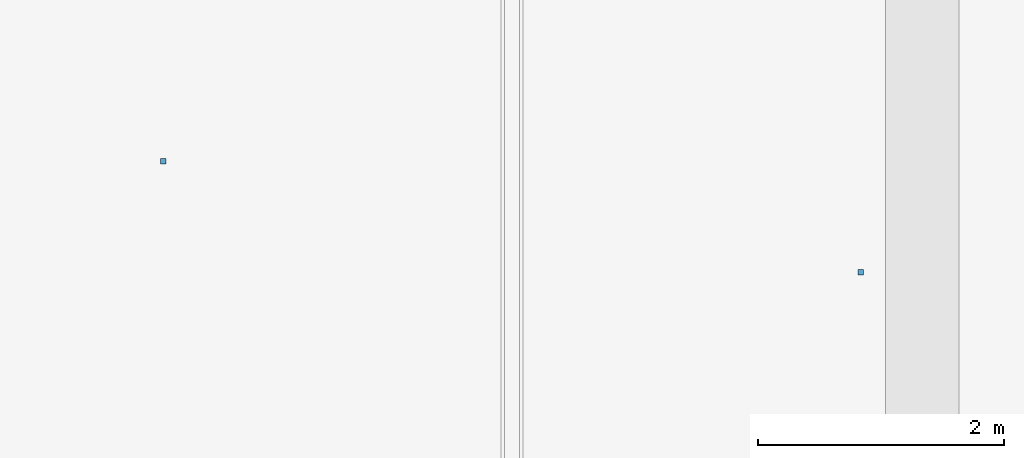
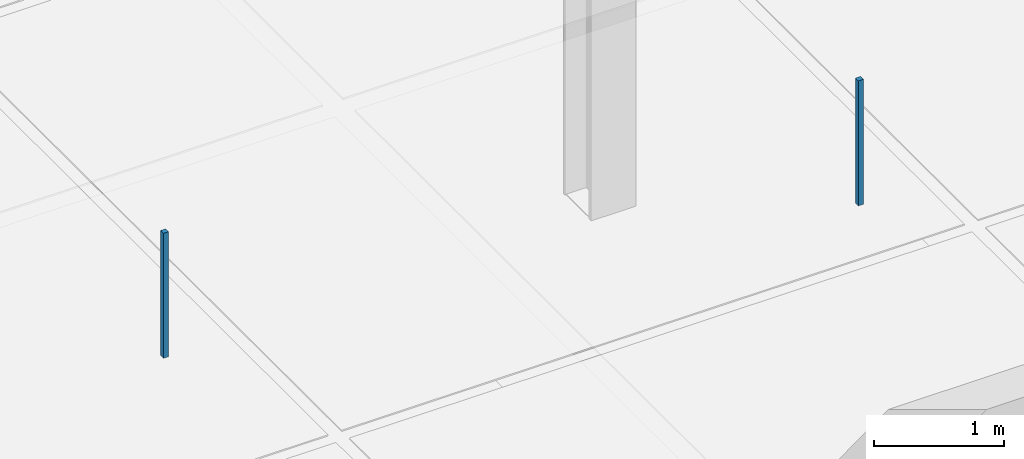
# One storey, part 40 of 48: 2 discrete accessories.
"""IFC4 building model written with IfcOpenShell, lengths in metres."""

from ifc_helpers import new_model, si_unit, direction, frame, origin, origin_2d, place, context, subcontext, project, spatial, rectangle, extrude, material, type_object, element, save


model = new_model("IFC4")

# Units and contexts
model_context = context("Model", 3, precision=1e-05, world=origin(), true_north=direction((0.0, 1.0)))
body_context = subcontext(model_context, "Body", "Model", "MODEL_VIEW")
ifc_project = project(units=[si_unit("LENGTHUNIT", "METRE"), si_unit("AREAUNIT", "SQUARE_METRE"), si_unit("VOLUMEUNIT", "CUBIC_METRE"), si_unit("PLANEANGLEUNIT", "RADIAN"), si_unit("MASSUNIT", "GRAM", prefix="KILO"), si_unit("THERMODYNAMICTEMPERATUREUNIT", "KELVIN"), si_unit("POWERUNIT", "WATT")], contexts=[model_context])

# Site, building, storey
site_placement = place(None, origin())
site = spatial("IfcSite", under=ifc_project, at=site_placement, CompositionType="ELEMENT")
building_placement = place(site_placement, origin())
building = spatial("IfcBuilding", under=site, at=building_placement, Name="Tallowbark Science Centre", CompositionType="ELEMENT")
storey_placement = place(building_placement, frame((0.0, 0.0, -4.5)))
storey = spatial("IfcBuildingStorey", under=building, at=storey_placement, Name="B1", CompositionType="ELEMENT", Elevation=-4.5)

# Discrete accessories
ifc_material = material(Name="Galvanised Steel Grade C350L0 (350 MPa)", Category="steel")
discrete_accessory_type = type_object("IfcDiscreteAccessoryType", Name="ACC-CLG-HNG", PredefinedType="BRACKET", material=ifc_material)
for number, where, z_axis, x_axis, name in (
    (1, (133.333251953125, 77.030029296875, 3.10595703125), (0.0, 0.0, 1.0), (1.0, 0.0, 0.0), "Ceiling Hanger Bracket B1-66"),
    (2, (139.0, 76.125, 3.10595703125), (0.0, 0.0, 1.0), (1.0, 0.0, 0.0), "Ceiling Hanger Bracket B1-69"),
):
    element("IfcDiscreteAccessory", number, at=place(storey_placement, frame(where, z_axis=z_axis, x_axis=x_axis)), inside=storey, type_object=discrete_accessory_type, Name=name, PredefinedType="BRACKET", context=body_context, shape_type="SweptSolid", body=[
        extrude(rectangle(XDim=0.044921875, YDim=0.044921875, at=origin_2d()), origin(), (0.0, 0.0, 1.0), 1.177001953125),
    ])

save(model, "model.ifc")
